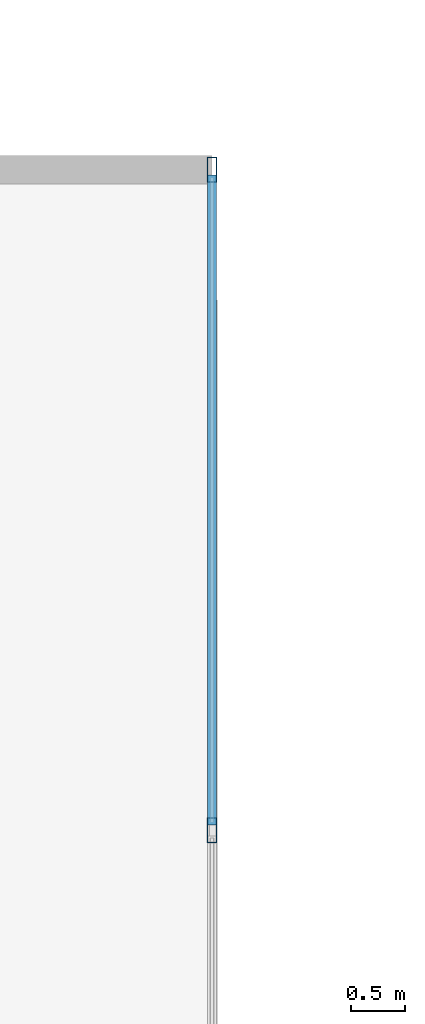
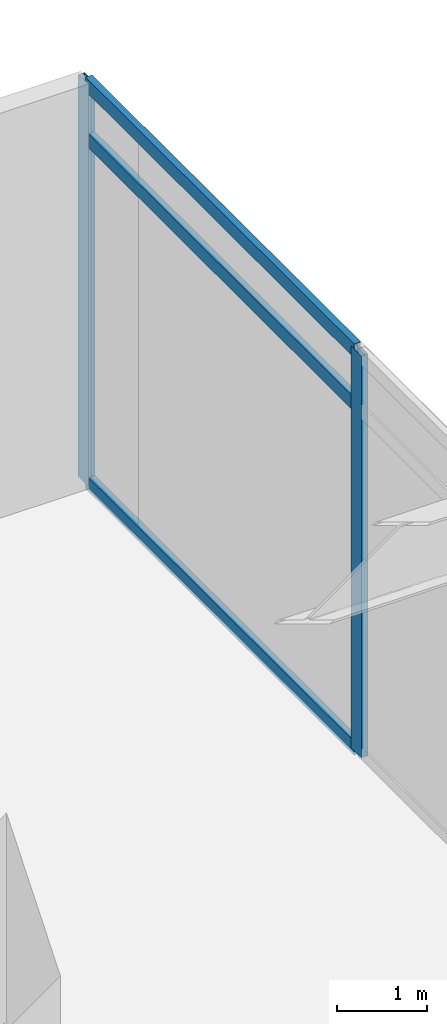
# One storey, part 17 of 25: 5 members, 1 element without a shape of its own.
"""IFC4 building model written with IfcOpenShell, lengths in metres."""

from ifc_helpers import new_model, si_unit, direction, frame, origin, origin_2d, place, context, subcontext, project, spatial, hollow_rectangle, extrude, material, material_profile, profile_set, type_object, element, aggregate, save


model = new_model("IFC4")

# Units and contexts
model_context = context("Model", 3, precision=1e-05, world=origin(), true_north=direction((0.0, 1.0)))
body_context = subcontext(model_context, "Body", "Model", "MODEL_VIEW")
ifc_project = project(units=[si_unit("LENGTHUNIT", "METRE"), si_unit("AREAUNIT", "SQUARE_METRE"), si_unit("VOLUMEUNIT", "CUBIC_METRE"), si_unit("PLANEANGLEUNIT", "RADIAN"), si_unit("MASSUNIT", "GRAM", prefix="KILO")], contexts=[model_context])

# Site, building, storey
site_placement = place(None, origin())
site = spatial("IfcSite", under=ifc_project, at=site_placement, CompositionType="ELEMENT")
building_placement = place(site_placement, origin())
building = spatial("IfcBuilding", under=site, at=building_placement, Name="Kovane Verandah Tower", CompositionType="ELEMENT")
storey_placement = place(building_placement, frame((0.0, 0.0, 295.199951171875)))
storey = spatial("IfcBuildingStorey", under=building, at=storey_placement, Name="L69", CompositionType="ELEMENT", Elevation=295.199951171875)

# Curtain wall, members
ifc_material_1 = material(Name="Champagne Anodised Aluminium Frame with Low-E Clear Laminated Glass", Category="aluminium")
curtain_wall_type = type_object("IfcCurtainWallType", Name="CW-SYS-05-HIGH", PredefinedType="NOTDEFINED", material=ifc_material_1)
curtain_wall_placement = place(storey_placement, origin())
curtain_wall = element("IfcCurtainWall", 1, at=curtain_wall_placement, inside=storey, type_object=curtain_wall_type, Name="L69 E Unitised Curtain Wall", PredefinedType="NOTDEFINED")
ifc_material_2 = material(Name="Champagne Anodised Aluminium 6063-T6", Category="aluminium")
ifc_material_profile_1 = material_profile(ifc_material_2, hollow_rectangle(XDim=0.0849609375, YDim=0.22998046875, WallThickness=0.00390625, at=origin_2d()), Name="AL85x230x4")
ifc_profile_set_1 = profile_set([ifc_material_profile_1], Name="Champagne Anodised Aluminium 6063-T6")
member_type_1 = type_object("IfcMemberType", Name="CW-MUL-85x230", PredefinedType="MULLION", material=ifc_profile_set_1)
member_1_placement = place(storey_placement, frame((65.017822265625, 39.6611328125, 0.02001953125), z_axis=(0.0, 0.0, 1.0), x_axis=(1.0, 0.0, 0.0)))
member_1 = element("IfcMember", 2, at=member_1_placement, type_object=member_type_1, Name="L69 E Unitised Curtain Wall Mullion 6", PredefinedType="MULLION", context=body_context, shape_type="SweptSolid", body=[
    extrude(hollow_rectangle(XDim=0.0849609375, YDim=0.22998046875, WallThickness=0.00390625, at=origin_2d()), origin(), (0.0, 0.0, 1.0), 5.4599609375),
])
member_2_placement = place(storey_placement, frame((65.017822265625, 45.74169921875, 0.02001953125), z_axis=(0.0, 0.0, 1.0), x_axis=(1.0, 0.0, 0.0)))
member_2 = element("IfcMember", 3, at=member_2_placement, type_object=member_type_1, Name="L69 E Unitised Curtain Wall Mullion 7", PredefinedType="MULLION", context=body_context, shape_type="SweptSolid", body=[
    extrude(hollow_rectangle(XDim=0.0849609375, YDim=0.22998046875, WallThickness=0.00390625, at=origin_2d()), origin(), (0.0, 0.0, 1.0), 5.4599609375),
])
ifc_material_profile_2 = material_profile(ifc_material_2, hollow_rectangle(XDim=0.0849609375, YDim=0.18994140625, WallThickness=0.00390625, at=origin_2d()), Name="AL85x190x4")
ifc_profile_set_2 = profile_set([ifc_material_profile_2], Name="Champagne Anodised Aluminium 6063-T6")
member_type_2 = type_object("IfcMemberType", Name="CW-TRN-85x190", PredefinedType="USERDEFINED", material=ifc_profile_set_2)
member_3_placement = place(storey_placement, frame((65.017822265625, 39.711181640625, 0.050048828125), z_axis=(0.0, 1.0, 0.0), x_axis=(-1.0, 0.0, 0.0)))
member_3 = element("IfcMember", 4, at=member_3_placement, type_object=member_type_2, Name="L69 E Unitised Curtain Wall Transom TB Bay 6", ObjectType="TRANSOM", PredefinedType="USERDEFINED", context=body_context, shape_type="SweptSolid", body=[
    extrude(hollow_rectangle(XDim=0.0849609375, YDim=0.18994140625, WallThickness=0.00390625, at=origin_2d()), origin(), (0.0, 0.0, 1.0), 5.98046875),
])
member_4_placement = place(storey_placement, frame((65.017822265625, 39.711181640625, 4.719970703125), z_axis=(0.0, 1.0, 0.0), x_axis=(-1.0, 0.0, 0.0)))
member_4 = element("IfcMember", 5, at=member_4_placement, type_object=member_type_2, Name="L69 E Unitised Curtain Wall Transom TM Bay 6", ObjectType="TRANSOM", PredefinedType="USERDEFINED", context=body_context, shape_type="SweptSolid", body=[
    extrude(hollow_rectangle(XDim=0.0849609375, YDim=0.18994140625, WallThickness=0.00390625, at=origin_2d()), origin(), (0.0, 0.0, 1.0), 5.98046875),
])
member_5_placement = place(storey_placement, frame((65.017822265625, 39.711181640625, 5.449951171875), z_axis=(0.0, 1.0, 0.0), x_axis=(-1.0, 0.0, 0.0)))
member_5 = element("IfcMember", 6, at=member_5_placement, type_object=member_type_2, Name="L69 E Unitised Curtain Wall Transom TT Bay 6", ObjectType="TRANSOM", PredefinedType="USERDEFINED", context=body_context, shape_type="SweptSolid", body=[
    extrude(hollow_rectangle(XDim=0.0849609375, YDim=0.18994140625, WallThickness=0.00390625, at=origin_2d()), origin(), (0.0, 0.0, 1.0), 5.98046875),
])
aggregate(curtain_wall, [member_1, member_2, member_3, member_4, member_5])

save(model, "model.ifc")
